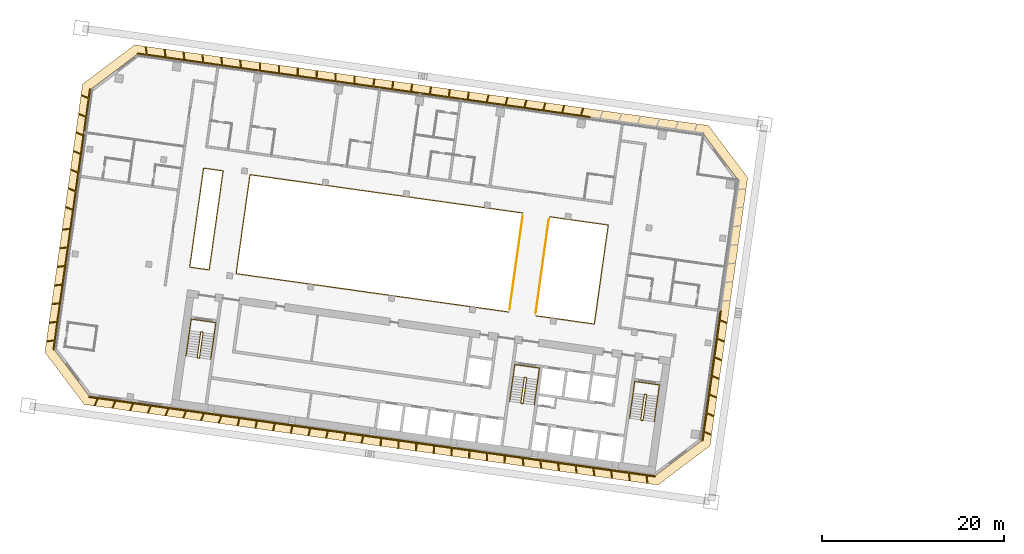
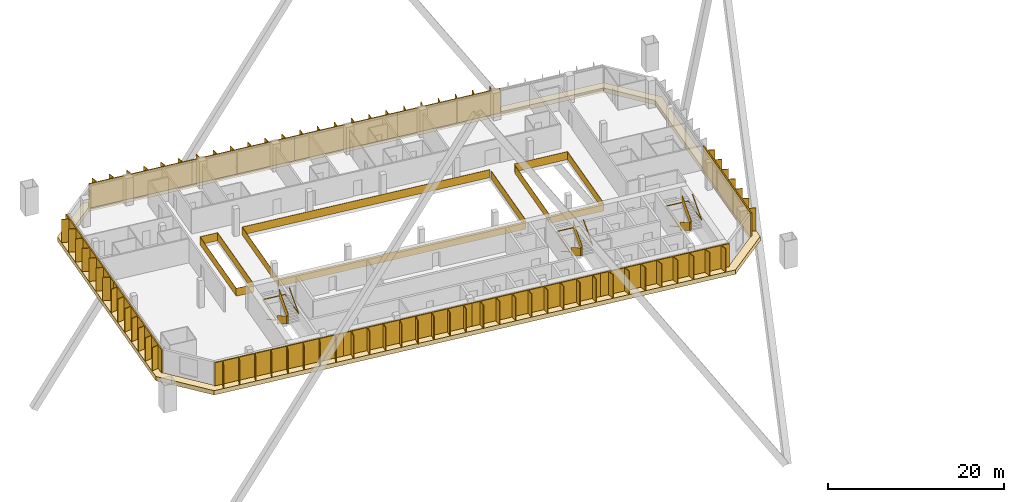
# One storey, part 39 of 41: 11 railings, 11 shading devices, 1 covering.
"""IFC4 building model written with IfcOpenShell, lengths in metres."""

from ifc_helpers import new_model, si_unit, direction, frame, origin, origin_2d, place, context, subcontext, project, spatial, polyline, rectangle, outline, extrude, material, layer, layer_set, type_object, element, save


model = new_model("IFC4")

# Units and contexts
model_context = context("Model", 3, precision=1e-05, world=origin(), true_north=direction((0.0, 1.0)))
body_context = subcontext(model_context, "Body", "Model", "MODEL_VIEW")
ifc_project = project(units=[si_unit("LENGTHUNIT", "METRE"), si_unit("AREAUNIT", "SQUARE_METRE"), si_unit("VOLUMEUNIT", "CUBIC_METRE"), si_unit("PLANEANGLEUNIT", "RADIAN"), si_unit("MASSUNIT", "GRAM", prefix="KILO")], contexts=[model_context])

# Site, building, storey
site_placement = place(None, origin())
site = spatial("IfcSite", under=ifc_project, at=site_placement, CompositionType="ELEMENT")
building_placement = place(site_placement, origin())
building = spatial("IfcBuilding", under=site, at=building_placement, Name="Mirante Cascada Hotel Towers", CompositionType="ELEMENT")
storey_placement = place(building_placement, frame((0.0, 0.0, 125.3)))
storey = spatial("IfcBuildingStorey", under=building, at=storey_placement, Name="L28", CompositionType="ELEMENT", Elevation=125.3)

# Railings
ifc_material_1 = material(Name="Toughened glass with stainless steel handrail", Category="steel")
railing_type_1 = type_object("IfcRailingType", Name="Atrium guard 1100 glass balustrade", PredefinedType="GUARDRAIL", material=ifc_material_1)
railing_1_placement = place(storey_placement, frame((-48.76, 8.3112, 0.0)))
element("IfcRailing", 1, at=railing_1_placement, inside=storey, type_object=railing_type_1, Name="GUARD 1-L28-1", PredefinedType="GUARDRAIL", context=body_context, shape_type="SweptSolid", body=[
    extrude(rectangle(XDim=0.048, YDim=0.048, at=origin_2d()), frame((0.0, 0.0, 1.076), z_axis=(0.9902694, -0.1391638, 0.0), x_axis=(0.1391638, 0.9902694, 0.0)), (0.0, 0.0, 1.0), 6.5125),
    extrude(rectangle(XDim=0.02, YDim=1.052, at=origin_2d()), frame((0.0, 0.0, 0.526), z_axis=(0.9902694, -0.1391638, 0.0), x_axis=(0.1391638, 0.9902694, 0.0)), (0.0, 0.0, 1.0), 6.5125),
    extrude(rectangle(XDim=0.048, YDim=0.048, at=origin_2d()), frame((6.4491, -0.9063, 1.076), z_axis=(-0.1391721, -0.9902682, 0.0), x_axis=(0.9902682, -0.1391721, 0.0)), (0.0, 0.0, 1.0), 11.0001),
    extrude(rectangle(XDim=0.02, YDim=1.052, at=origin_2d()), frame((6.4491, -0.9063, 0.526), z_axis=(-0.1391721, -0.9902682, 0.0), x_axis=(0.9902682, -0.1391721, 0.0)), (0.0, 0.0, 1.0), 11.0001),
    extrude(rectangle(XDim=0.048, YDim=0.048, at=origin_2d()), frame((4.9182, -11.7993, 1.076), z_axis=(-0.9902673, 0.1391788, 0.0), x_axis=(-0.1391788, -0.9902673, 0.0)), (0.0, 0.0, 1.0), 6.5125),
    extrude(rectangle(XDim=0.02, YDim=1.052, at=origin_2d()), frame((4.9182, -11.7993, 0.526), z_axis=(-0.9902673, 0.1391788, 0.0), x_axis=(-0.1391788, -0.9902673, 0.0)), (0.0, 0.0, 1.0), 6.5125),
])
railing_2_placement = place(storey_placement, frame((-53.2617, -2.1642, 0.0)))
element("IfcRailing", 2, at=railing_2_placement, inside=storey, type_object=railing_type_1, Name="GUARD 1-L28-2", PredefinedType="GUARDRAIL", context=body_context, shape_type="SweptSolid", body=[
    extrude(rectangle(XDim=0.048, YDim=0.048, at=origin_2d()), frame((0.0, 0.0, 1.076), z_axis=(-0.9902682, 0.1391722, 0.0), x_axis=(-0.1391722, -0.9902682, 0.0)), (0.0, 0.0, 1.0), 30.325),
    extrude(rectangle(XDim=0.02, YDim=1.052, at=origin_2d()), frame((0.0, 0.0, 0.526), z_axis=(-0.9902682, 0.1391722, 0.0), x_axis=(-0.1391722, -0.9902682, 0.0)), (0.0, 0.0, 1.0), 30.325),
    extrude(rectangle(XDim=0.048, YDim=0.048, at=origin_2d()), frame((-30.0299, 4.2204, 1.076), z_axis=(0.1391721, 0.9902682, 0.0), x_axis=(-0.9902682, 0.1391721, 0.0)), (0.0, 0.0, 1.0), 11.0001),
    extrude(rectangle(XDim=0.02, YDim=1.052, at=origin_2d()), frame((-30.0299, 4.2204, 0.526), z_axis=(0.1391721, 0.9902682, 0.0), x_axis=(-0.9902682, 0.1391721, 0.0)), (0.0, 0.0, 1.0), 11.0001),
    extrude(rectangle(XDim=0.048, YDim=0.048, at=origin_2d()), frame((-28.499, 15.1134, 1.076), z_axis=(0.9902682, -0.1391722, 0.0), x_axis=(0.1391722, 0.9902682, 0.0)), (0.0, 0.0, 1.0), 30.325),
    extrude(rectangle(XDim=0.02, YDim=1.052, at=origin_2d()), frame((-28.499, 15.1134, 0.526), z_axis=(0.9902682, -0.1391722, 0.0), x_axis=(0.1391722, 0.9902682, 0.0)), (0.0, 0.0, 1.0), 30.325),
])
railing_3_placement = place(storey_placement, frame((-86.2624, 2.4738, 0.0)))
element("IfcRailing", 3, at=railing_3_placement, inside=storey, type_object=railing_type_1, Name="GUARD 1-L28-3", PredefinedType="GUARDRAIL", context=body_context, shape_type="SweptSolid", body=[
    extrude(rectangle(XDim=0.048, YDim=0.048, at=origin_2d()), frame((0.0, 0.0, 1.076), z_axis=(-0.9902724, 0.1391422, 0.0), x_axis=(-0.1391422, -0.9902724, 0.0)), (0.0, 0.0, 1.0), 2.1625),
    extrude(rectangle(XDim=0.02, YDim=1.052, at=origin_2d()), frame((0.0, 0.0, 0.526), z_axis=(-0.9902724, 0.1391422, 0.0), x_axis=(-0.1391422, -0.9902724, 0.0)), (0.0, 0.0, 1.0), 2.1625),
    extrude(rectangle(XDim=0.048, YDim=0.048, at=origin_2d()), frame((-2.1415, 0.3009, 1.076), z_axis=(0.1391721, 0.9902682, 0.0), x_axis=(-0.9902682, 0.1391721, 0.0)), (0.0, 0.0, 1.0), 11.0001),
    extrude(rectangle(XDim=0.02, YDim=1.052, at=origin_2d()), frame((-2.1415, 0.3009, 0.526), z_axis=(0.1391721, 0.9902682, 0.0), x_axis=(-0.9902682, 0.1391721, 0.0)), (0.0, 0.0, 1.0), 11.0001),
    extrude(rectangle(XDim=0.048, YDim=0.048, at=origin_2d()), frame((-0.6106, 11.1939, 1.076), z_axis=(0.990266, -0.1391875, 0.0), x_axis=(0.1391875, 0.990266, 0.0)), (0.0, 0.0, 1.0), 2.1626),
    extrude(rectangle(XDim=0.02, YDim=1.052, at=origin_2d()), frame((-0.6106, 11.1939, 0.526), z_axis=(0.990266, -0.1391875, 0.0), x_axis=(0.1391875, 0.990266, 0.0)), (0.0, 0.0, 1.0), 2.1626),
    extrude(rectangle(XDim=0.048, YDim=0.048, at=origin_2d()), frame((1.5309, 10.8929, 1.076), z_axis=(-0.1391733, -0.990268, 0.0), x_axis=(0.990268, -0.1391733, 0.0)), (0.0, 0.0, 1.0), 11.0),
    extrude(rectangle(XDim=0.02, YDim=1.052, at=origin_2d()), frame((1.5309, 10.8929, 0.526), z_axis=(-0.1391733, -0.990268, 0.0), x_axis=(0.990268, -0.1391733, 0.0)), (0.0, 0.0, 1.0), 11.0),
])
railing_4_placement = place(storey_placement, frame((-53.172, -1.8782, 0.0)))
element("IfcRailing", 4, at=railing_4_placement, inside=storey, type_object=railing_type_1, Name="GUARD 1-L28-4", PredefinedType="GUARDRAIL", context=body_context, shape_type="SweptSolid", body=[
    extrude(rectangle(XDim=0.048, YDim=0.048, at=origin_2d()), frame((0.0, 0.0, 1.076), z_axis=(0.1391721, 0.9902682, 0.0), x_axis=(-0.9902682, 0.1391721, 0.0)), (0.0, 0.0, 1.0), 10.4087),
    extrude(rectangle(XDim=0.02, YDim=1.052, at=origin_2d()), frame((0.0, 0.0, 0.526), z_axis=(0.1391721, 0.9902682, 0.0), x_axis=(-0.9902682, 0.1391721, 0.0)), (0.0, 0.0, 1.0), 10.4087),
])
railing_5_placement = place(storey_placement, frame((-48.8497, 8.0253, 0.0)))
element("IfcRailing", 5, at=railing_5_placement, inside=storey, type_object=railing_type_1, Name="GUARD 1-L28-5", PredefinedType="GUARDRAIL", context=body_context, shape_type="SweptSolid", body=[
    extrude(rectangle(XDim=0.048, YDim=0.048, at=origin_2d()), frame((0.0, 0.0, 1.076), z_axis=(-0.1391708, -0.9902684, 0.0), x_axis=(0.9902684, -0.1391708, 0.0)), (0.0, 0.0, 1.0), 10.4088),
    extrude(rectangle(XDim=0.02, YDim=1.052, at=origin_2d()), frame((0.0, 0.0, 0.526), z_axis=(-0.1391708, -0.9902684, 0.0), x_axis=(0.9902684, -0.1391708, 0.0)), (0.0, 0.0, 1.0), 10.4088),
])

# Covering
ifc_material_2 = material(Name="Precast concrete C40/50 white", Category="concrete")
ifc_layer = layer(ifc_material_2, 0.6)
ifc_layer_set = layer_set([ifc_layer], Name="Precast concrete SUNSHADE band 1000x600")
covering_type = type_object("IfcCoveringType", Name="Precast concrete SUNSHADE band 1000x600", PredefinedType="CLADDING", material=ifc_layer_set)
covering_placement = place(storey_placement, frame((0.0, 0.0, -0.45)))
element("IfcCovering", 6, at=covering_placement, inside=storey, type_object=covering_type, Name="Precast concrete SUNSHADE band T1 L28", PredefinedType="CLADDING", context=body_context, shape_type="SweptSolid", body=[
    extrude(outline(polyline([(-104.3652, -6.6094), (-100.2139, 22.9287), (-94.4698, 27.2572), (-31.2626, 18.374), (-26.9341, 12.6299), (-31.0854, -16.9082), (-36.8295, -21.2367), (-100.0367, -12.3535), (-104.3652, -6.6094)]), holes=[polyline([(-27.982, 12.3589), (-31.8119, 17.4414), (-94.1988, 26.2093), (-99.2813, 22.3794), (-103.3173, -6.3384), (-99.4874, -11.4209), (-37.1005, -20.1888), (-32.018, -16.3589), (-27.982, 12.3589)])]), origin(), (0.0, 0.0, 1.0), 0.6),
])

# Railings
ifc_material_3 = material(Name="Painted steel", Category="steel")
railing_type_2 = type_object("IfcRailingType", Name="Stair guard 1100 steel balustrade", PredefinedType="GUARDRAIL", material=ifc_material_3)
railing_6_placement = place(storey_placement, frame((-38.1178, -11.2603, 0.0)))
element("IfcRailing", 7, at=railing_6_placement, inside=storey, type_object=railing_type_2, Name="L28 ST1-A stair guard 1", PredefinedType="GUARDRAIL", context=body_context, shape_type="SweptSolid", body=[
    extrude(rectangle(XDim=0.048, YDim=0.048, at=origin_2d()), frame((0.0, 0.0, 1.076), z_axis=(-0.9903326, 0.1387133, 0.0), x_axis=(-0.1387133, -0.9903326, 0.0)), (0.0, 0.0, 1.0), 0.1499),
    extrude(rectangle(XDim=0.02, YDim=1.052, at=origin_2d()), frame((0.0, 0.0, 0.526), z_axis=(-0.9903326, 0.1387133, 0.0), x_axis=(-0.1387133, -0.9903326, 0.0)), (0.0, 0.0, 1.0), 0.1499),
    extrude(rectangle(XDim=0.048, YDim=0.048, at=origin_2d()), frame((-0.1485, 0.0208, 1.076), z_axis=(-0.7991505, -0.6011309, 0.0), x_axis=(0.6011309, -0.7991505, 0.0)), (0.0, 0.9254529, 0.3788627), 0.1866),
    extrude(rectangle(XDim=0.02, YDim=1.052, at=origin_2d()), frame((-0.1485, 0.0208, 0.526), z_axis=(-0.7991505, -0.6011309, 0.0), x_axis=(0.6011309, -0.7991505, 0.0)), (0.0, 0.9254529, 0.3788627), 0.1866),
    extrude(rectangle(XDim=0.048, YDim=0.048, at=origin_2d()), frame((-0.205, -0.0217, 1.2487), z_axis=(-0.139176, -0.9902677, 0.0), x_axis=(0.9902677, -0.139176, 0.0)), (0.0, 0.5250212, 0.8510891), 3.29),
    extrude(rectangle(XDim=0.02, YDim=1.052, at=origin_2d()), frame((-0.205, -0.0217, 0.6987), z_axis=(-0.139176, -0.9902677, 0.0), x_axis=(0.9902677, -0.139176, 0.0)), (0.0, 0.5250212, 0.8510891), 3.29),
    extrude(rectangle(XDim=0.048, YDim=0.048, at=origin_2d()), frame((-0.5947, -2.7945, 2.976), z_axis=(0.9270311, -0.3749843, 0.0), x_axis=(0.3749843, 0.9270311, 0.0)), (0.0, 0.0, 1.0), 0.2061),
    extrude(rectangle(XDim=0.02, YDim=1.052, at=origin_2d()), frame((-0.5947, -2.7945, 2.426), z_axis=(0.9270311, -0.3749843, 0.0), x_axis=(0.3749843, 0.9270311, 0.0)), (0.0, 0.0, 1.0), 0.2061),
    extrude(rectangle(XDim=0.048, YDim=0.048, at=origin_2d()), frame((-0.4036, -2.8718, 2.976), z_axis=(-0.9902408, 0.1393672, 0.0), x_axis=(-0.1393672, -0.9902408, 0.0)), (0.0, 0.0, 1.0), 0.15),
    extrude(rectangle(XDim=0.02, YDim=1.052, at=origin_2d()), frame((-0.4036, -2.8718, 2.426), z_axis=(-0.9902408, 0.1393672, 0.0), x_axis=(-0.1393672, -0.9902408, 0.0)), (0.0, 0.0, 1.0), 0.15),
    extrude(rectangle(XDim=0.048, YDim=0.048, at=origin_2d()), frame((-0.5521, -2.8509, 2.976), z_axis=(0.9944948, 0.1047858, 0.0), x_axis=(-0.1047858, 0.9944948, 0.0)), (0.0, 0.6422034, 0.7665343), 0.2689),
    extrude(rectangle(XDim=0.02, YDim=1.052, at=origin_2d()), frame((-0.5521, -2.8509, 2.426), z_axis=(0.9944948, 0.1047858, 0.0), x_axis=(-0.1047858, 0.9944948, 0.0)), (0.0, 0.6422034, 0.7665343), 0.2689),
    extrude(rectangle(XDim=0.048, YDim=0.048, at=origin_2d()), frame((-0.3471, -2.8293, 3.1487), z_axis=(0.139176, 0.9902677, 0.0), x_axis=(-0.9902677, 0.139176, 0.0)), (0.0, 0.5250212, 0.8510891), 3.29),
    extrude(rectangle(XDim=0.02, YDim=1.052, at=origin_2d()), frame((-0.3471, -2.8293, 2.5987), z_axis=(0.139176, 0.9902677, 0.0), x_axis=(-0.9902677, 0.139176, 0.0)), (0.0, 0.5250212, 0.8510891), 3.29),
])
railing_7_placement = place(storey_placement, frame((-51.3379, -9.4024, 0.0)))
element("IfcRailing", 8, at=railing_7_placement, inside=storey, type_object=railing_type_2, Name="L28 ST1-B stair guard 1", PredefinedType="GUARDRAIL", context=body_context, shape_type="SweptSolid", body=[
    extrude(rectangle(XDim=0.048, YDim=0.048, at=origin_2d()), frame((0.0, 0.0, 1.076), z_axis=(-0.9902408, 0.1393672, 0.0), x_axis=(-0.1393672, -0.9902408, 0.0)), (0.0, 0.0, 1.0), 0.15),
    extrude(rectangle(XDim=0.02, YDim=1.052, at=origin_2d()), frame((0.0, 0.0, 0.526), z_axis=(-0.9902408, 0.1393672, 0.0), x_axis=(-0.1393672, -0.9902408, 0.0)), (0.0, 0.0, 1.0), 0.15),
    extrude(rectangle(XDim=0.048, YDim=0.048, at=origin_2d()), frame((-0.1485, 0.0209, 1.076), z_axis=(-0.7984711, -0.6020331, 0.0), x_axis=(0.6020331, -0.7984711, 0.0)), (0.0, 0.9253398, 0.3791387), 0.1866),
    extrude(rectangle(XDim=0.02, YDim=1.052, at=origin_2d()), frame((-0.1485, 0.0209, 0.526), z_axis=(-0.7984711, -0.6020331, 0.0), x_axis=(0.6020331, -0.7984711, 0.0)), (0.0, 0.9253398, 0.3791387), 0.1866),
    extrude(rectangle(XDim=0.048, YDim=0.048, at=origin_2d()), frame((-0.205, -0.0217, 1.2487), z_axis=(-0.139181, -0.990267, 0.0), x_axis=(0.990267, -0.139181, 0.0)), (0.0, 0.5250347, 0.8510808), 3.2899),
    extrude(rectangle(XDim=0.02, YDim=1.052, at=origin_2d()), frame((-0.205, -0.0217, 0.6987), z_axis=(-0.139181, -0.990267, 0.0), x_axis=(0.990267, -0.139181, 0.0)), (0.0, 0.5250347, 0.8510808), 3.2899),
    extrude(rectangle(XDim=0.048, YDim=0.048, at=origin_2d()), frame((-0.5947, -2.7944, 2.976), z_axis=(0.9268624, -0.3754011, 0.0), x_axis=(0.3754011, 0.9268624, 0.0)), (0.0, 0.0, 1.0), 0.2062),
    extrude(rectangle(XDim=0.02, YDim=1.052, at=origin_2d()), frame((-0.5947, -2.7944, 2.426), z_axis=(0.9268624, -0.3754011, 0.0), x_axis=(0.3754011, 0.9268624, 0.0)), (0.0, 0.0, 1.0), 0.2062),
    extrude(rectangle(XDim=0.048, YDim=0.048, at=origin_2d()), frame((-0.4036, -2.8718, 2.976), z_axis=(-0.9902408, 0.1393672, 0.0), x_axis=(-0.1393672, -0.9902408, 0.0)), (0.0, 0.0, 1.0), 0.15),
    extrude(rectangle(XDim=0.02, YDim=1.052, at=origin_2d()), frame((-0.4036, -2.8718, 2.426), z_axis=(-0.9902408, 0.1393672, 0.0), x_axis=(-0.1393672, -0.9902408, 0.0)), (0.0, 0.0, 1.0), 0.15),
    extrude(rectangle(XDim=0.048, YDim=0.048, at=origin_2d()), frame((-0.5521, -2.8509, 2.976), z_axis=(0.9944441, 0.1052656, 0.0), x_axis=(-0.1052656, 0.9944441, 0.0)), (0.0, 0.6421842, 0.7665504), 0.2689),
    extrude(rectangle(XDim=0.02, YDim=1.052, at=origin_2d()), frame((-0.5521, -2.8509, 2.426), z_axis=(0.9944441, 0.1052656, 0.0), x_axis=(-0.1052656, 0.9944441, 0.0)), (0.0, 0.6421842, 0.7665504), 0.2689),
    extrude(rectangle(XDim=0.048, YDim=0.048, at=origin_2d()), frame((-0.3471, -2.8292, 3.1487), z_axis=(0.139181, 0.990267, 0.0), x_axis=(-0.990267, 0.139181, 0.0)), (0.0, 0.5250347, 0.8510808), 3.2899),
    extrude(rectangle(XDim=0.02, YDim=1.052, at=origin_2d()), frame((-0.3471, -2.8292, 2.5987), z_axis=(0.139181, 0.990267, 0.0), x_axis=(-0.990267, 0.139181, 0.0)), (0.0, 0.5250347, 0.8510808), 3.2899),
])
railing_8_placement = place(storey_placement, frame((-86.9875, -4.3922, 0.0)))
element("IfcRailing", 9, at=railing_8_placement, inside=storey, type_object=railing_type_2, Name="L28 ST1-C stair guard 1", PredefinedType="GUARDRAIL", context=body_context, shape_type="SweptSolid", body=[
    extrude(rectangle(XDim=0.048, YDim=0.048, at=origin_2d()), frame((0.0, 0.0, 1.076), z_axis=(-0.9902537, 0.1392753, 0.0), x_axis=(-0.1392753, -0.9902537, 0.0)), (0.0, 0.0, 1.0), 0.1501),
    extrude(rectangle(XDim=0.02, YDim=1.052, at=origin_2d()), frame((0.0, 0.0, 0.526), z_axis=(-0.9902537, 0.1392753, 0.0), x_axis=(-0.1392753, -0.9902537, 0.0)), (0.0, 0.0, 1.0), 0.1501),
    extrude(rectangle(XDim=0.048, YDim=0.048, at=origin_2d()), frame((-0.1486, 0.0209, 1.076), z_axis=(-0.7986386, -0.601811, 0.0), x_axis=(0.601811, -0.7986386, 0.0)), (0.0, 0.925603, 0.3784959), 0.1866),
    extrude(rectangle(XDim=0.02, YDim=1.052, at=origin_2d()), frame((-0.1486, 0.0209, 0.526), z_axis=(-0.7986386, -0.601811, 0.0), x_axis=(0.601811, -0.7986386, 0.0)), (0.0, 0.925603, 0.3784959), 0.1866),
    extrude(rectangle(XDim=0.048, YDim=0.048, at=origin_2d()), frame((-0.205, -0.0216, 1.2487), z_axis=(-0.139176, -0.9902677, 0.0), x_axis=(0.9902677, -0.139176, 0.0)), (0.0, 0.5250212, 0.8510891), 3.29),
    extrude(rectangle(XDim=0.02, YDim=1.052, at=origin_2d()), frame((-0.205, -0.0216, 0.6987), z_axis=(-0.139176, -0.9902677, 0.0), x_axis=(0.9902677, -0.139176, 0.0)), (0.0, 0.5250212, 0.8510891), 3.29),
    extrude(rectangle(XDim=0.048, YDim=0.048, at=origin_2d()), frame((-0.5947, -2.7944, 2.976), z_axis=(0.9270311, -0.3749843, 0.0), x_axis=(0.3749843, 0.9270311, 0.0)), (0.0, 0.0, 1.0), 0.2061),
    extrude(rectangle(XDim=0.02, YDim=1.052, at=origin_2d()), frame((-0.5947, -2.7944, 2.426), z_axis=(0.9270311, -0.3749843, 0.0), x_axis=(0.3749843, 0.9270311, 0.0)), (0.0, 0.0, 1.0), 0.2061),
    extrude(rectangle(XDim=0.048, YDim=0.048, at=origin_2d()), frame((-0.4036, -2.8717, 2.976), z_axis=(-0.9903454, 0.1386217, 0.0), x_axis=(-0.1386217, -0.9903454, 0.0)), (0.0, 0.0, 1.0), 0.15),
    extrude(rectangle(XDim=0.02, YDim=1.052, at=origin_2d()), frame((-0.4036, -2.8717, 2.426), z_axis=(-0.9903454, 0.1386217, 0.0), x_axis=(-0.1386217, -0.9903454, 0.0)), (0.0, 0.0, 1.0), 0.15),
    extrude(rectangle(XDim=0.048, YDim=0.048, at=origin_2d()), frame((-0.5522, -2.8509, 2.976), z_axis=(0.9944441, 0.1052656, 0.0), x_axis=(-0.1052656, 0.9944441, 0.0)), (0.0, 0.6421842, 0.7665504), 0.2689),
    extrude(rectangle(XDim=0.02, YDim=1.052, at=origin_2d()), frame((-0.5522, -2.8509, 2.426), z_axis=(0.9944441, 0.1052656, 0.0), x_axis=(-0.1052656, 0.9944441, 0.0)), (0.0, 0.6421842, 0.7665504), 0.2689),
    extrude(rectangle(XDim=0.048, YDim=0.048, at=origin_2d()), frame((-0.3472, -2.8292, 3.1487), z_axis=(0.139176, 0.9902677, 0.0), x_axis=(-0.9902677, 0.139176, 0.0)), (0.0, 0.5250212, 0.8510891), 3.29),
    extrude(rectangle(XDim=0.02, YDim=1.052, at=origin_2d()), frame((-0.3472, -2.8292, 2.5987), z_axis=(0.139176, 0.9902677, 0.0), x_axis=(-0.9902677, 0.139176, 0.0)), (0.0, 0.5250212, 0.8510891), 3.29),
])
ifc_material_4 = material(Name="Painted steel", Category="steel")
railing_type_3 = type_object("IfcRailingType", Name="Stair handrail 900 steel tube", PredefinedType="HANDRAIL", material=ifc_material_4)
railing_9_placement = place(storey_placement, frame((-39.5606, -11.1081, 0.1727)))
element("IfcRailing", 10, at=railing_9_placement, inside=storey, type_object=railing_type_3, Name="L28 ST1-A stair handrail 1", PredefinedType="HANDRAIL", context=body_context, shape_type="SweptSolid", body=[
    extrude(rectangle(XDim=0.048, YDim=0.048, at=origin_2d()), frame((0.0, 0.0, 0.876), z_axis=(-0.139181, -0.990267, 0.0), x_axis=(0.990267, -0.139181, 0.0)), (0.0, 0.5250347, 0.8510808), 3.2899),
    extrude(rectangle(XDim=0.048, YDim=0.048, at=origin_2d()), frame((-0.3897, -2.7727, 2.6033), z_axis=(0.1391707, 0.9902684, 0.0), x_axis=(-0.9902684, 0.1391707, 0.0)), (0.0, 0.0420846, 0.999114), 4.1036),
    extrude(rectangle(XDim=0.048, YDim=0.048, at=origin_2d()), frame((0.1809, 1.2874, 2.776), z_axis=(0.9902691, -0.1391657, 0.0), x_axis=(0.1391657, 0.9902691, 0.0)), (0.0, 0.0, 1.0), 2.75),
    extrude(rectangle(XDim=0.048, YDim=0.048, at=origin_2d()), frame((2.9041, 0.9047, 2.776), z_axis=(-0.1391707, -0.9902684, 0.0), x_axis=(0.9902684, -0.1391707, 0.0)), (0.0, 0.0, 1.0), 4.1),
    extrude(rectangle(XDim=0.048, YDim=0.048, at=origin_2d()), frame((2.3335, -3.1554, 2.776), z_axis=(0.139181, 0.990267, 0.0), x_axis=(-0.990267, 0.139181, 0.0)), (0.0, 0.5250347, 0.8510808), 3.2899),
])
railing_10_placement = place(storey_placement, frame((-52.7807, -9.2501, 0.1727)))
element("IfcRailing", 11, at=railing_10_placement, inside=storey, type_object=railing_type_3, Name="L28 ST1-B stair handrail 1", PredefinedType="HANDRAIL", context=body_context, shape_type="SweptSolid", body=[
    extrude(rectangle(XDim=0.048, YDim=0.048, at=origin_2d()), frame((0.0, 0.0, 0.876), z_axis=(-0.139181, -0.990267, 0.0), x_axis=(0.990267, -0.139181, 0.0)), (0.0, 0.5250347, 0.8510808), 3.2899),
    extrude(rectangle(XDim=0.048, YDim=0.048, at=origin_2d()), frame((-0.3897, -2.7727, 2.6033), z_axis=(0.1391707, 0.9902684, 0.0), x_axis=(-0.9902684, 0.1391707, 0.0)), (0.0, 0.0420846, 0.999114), 4.1036),
    extrude(rectangle(XDim=0.048, YDim=0.048, at=origin_2d()), frame((0.1809, 1.2874, 2.776), z_axis=(0.9902641, -0.1392013, 0.0), x_axis=(0.1392013, 0.9902641, 0.0)), (0.0, 0.0, 1.0), 2.75),
    extrude(rectangle(XDim=0.048, YDim=0.048, at=origin_2d()), frame((2.9041, 0.9046, 2.776), z_axis=(-0.1391707, -0.9902684, 0.0), x_axis=(0.9902684, -0.1391707, 0.0)), (0.0, 0.0, 1.0), 4.1),
    extrude(rectangle(XDim=0.048, YDim=0.048, at=origin_2d()), frame((2.3335, -3.1555, 2.776), z_axis=(0.139176, 0.9902677, 0.0), x_axis=(-0.9902677, 0.139176, 0.0)), (0.0, 0.5250212, 0.8510891), 3.29),
])
railing_11_placement = place(storey_placement, frame((-88.4304, -4.2399, 0.1727)))
element("IfcRailing", 12, at=railing_11_placement, inside=storey, type_object=railing_type_3, Name="L28 ST1-C stair handrail 1", PredefinedType="HANDRAIL", context=body_context, shape_type="SweptSolid", body=[
    extrude(rectangle(XDim=0.048, YDim=0.048, at=origin_2d()), frame((0.0, 0.0, 0.876), z_axis=(-0.139181, -0.990267, 0.0), x_axis=(0.990267, -0.139181, 0.0)), (0.0, 0.5250347, 0.8510808), 3.2899),
    extrude(rectangle(XDim=0.048, YDim=0.048, at=origin_2d()), frame((-0.3897, -2.7727, 2.6033), z_axis=(0.1391947, 0.990265, 0.0), x_axis=(-0.990265, 0.1391947, 0.0)), (0.0, 0.0420845, 0.9991141), 4.1036),
    extrude(rectangle(XDim=0.048, YDim=0.048, at=origin_2d()), frame((0.181, 1.2874, 2.776), z_axis=(0.9902691, -0.1391657, 0.0), x_axis=(0.1391657, 0.9902691, 0.0)), (0.0, 0.0, 1.0), 2.75),
    extrude(rectangle(XDim=0.048, YDim=0.048, at=origin_2d()), frame((2.9042, 0.9047, 2.776), z_axis=(-0.1391707, -0.9902684, 0.0), x_axis=(0.9902684, -0.1391707, 0.0)), (0.0, 0.0, 1.0), 4.1),
    extrude(rectangle(XDim=0.048, YDim=0.048, at=origin_2d()), frame((2.3336, -3.1554, 2.776), z_axis=(0.139181, 0.990267, 0.0), x_axis=(-0.990267, 0.139181, 0.0)), (0.0, 0.5250347, 0.8510808), 3.2899),
])

# Shading devices
ifc_material_5 = material(Name="White precast concrete C50/60 fin", Category="concrete")
shading_device_type = type_object("IfcShadingDeviceType", Name="Vertical fin set 4500x900", PredefinedType="USERDEFINED", material=ifc_material_5)
shading_device_1_placement = place(storey_placement, origin())
element("IfcShadingDevice", 13, at=shading_device_1_placement, inside=storey, type_object=shading_device_type, Name="FIN T1 L28 front 1", ObjectType="FIN", PredefinedType="USERDEFINED", context=body_context, shape_type="SweptSolid", body=[
    extrude(outline(polyline([(-82.8173, 25.599), (-82.7126, 24.7465), (-81.7006, 24.6042), (-81.7214, 24.4557), (-94.1988, 26.2093), (-94.1779, 26.3578), (-93.1924, 26.2193), (-93.2945, 27.0506), (-93.2151, 27.0603), (-93.1104, 26.2078), (-91.1129, 25.9271), (-91.2149, 26.7583), (-91.1355, 26.7681), (-91.0308, 25.9155), (-89.0333, 25.6348), (-89.1354, 26.4661), (-89.056, 26.4758), (-88.9513, 25.6233), (-86.9537, 25.3425), (-87.0558, 26.1738), (-86.9764, 26.1835), (-86.8717, 25.331), (-84.8742, 25.0503), (-84.9762, 25.8815), (-84.8968, 25.8913), (-84.7922, 25.0387), (-82.7946, 24.758), (-82.8967, 25.5893), (-82.8173, 25.599)])), origin(), (0.0, 0.0, 1.0), 3.35),
])
shading_device_2_placement = place(storey_placement, origin())
element("IfcShadingDevice", 14, at=shading_device_2_placement, inside=storey, type_object=shading_device_type, Name="FIN T1 L28 front 2", ObjectType="FIN", PredefinedType="USERDEFINED", context=body_context, shape_type="SweptSolid", body=[
    extrude(outline(polyline([(-70.2221, 23.8469), (-70.2295, 22.9921), (-69.2232, 22.8507), (-69.2441, 22.7021), (-81.7214, 24.4557), (-81.7006, 24.6042), (-80.7072, 24.4646), (-80.6999, 25.3089), (-80.6199, 25.3082), (-80.6273, 24.4534), (-78.6277, 24.1724), (-78.6203, 25.0166), (-78.5403, 25.0159), (-78.5478, 24.1611), (-76.5481, 23.8801), (-76.5407, 24.7244), (-76.4608, 24.7237), (-76.4682, 23.8689), (-74.4686, 23.5878), (-74.4612, 24.4321), (-74.3812, 24.4314), (-74.3886, 23.5766), (-72.389, 23.2956), (-72.3816, 24.1399), (-72.3016, 24.1392), (-72.3091, 23.2844), (-70.3094, 23.0033), (-70.3021, 23.8476), (-70.2221, 23.8469)])), origin(), (0.0, 0.0, 1.0), 3.35),
])
shading_device_3_placement = place(storey_placement, origin())
element("IfcShadingDevice", 15, at=shading_device_3_placement, inside=storey, type_object=shading_device_type, Name="FIN T1 L28 front 3", ObjectType="FIN", PredefinedType="USERDEFINED", context=body_context, shape_type="SweptSolid", body=[
    extrude(outline(polyline([(-57.6277, 22.0794), (-57.746, 21.2376), (-56.7458, 21.0971), (-56.7667, 20.9485), (-69.2441, 22.7021), (-69.2232, 22.8507), (-68.223, 22.7101), (-68.1047, 23.5518), (-68.0255, 23.5407), (-68.1438, 22.699), (-66.1434, 22.4178), (-66.0251, 23.2596), (-65.9459, 23.2484), (-66.0642, 22.4067), (-64.0639, 22.1256), (-63.9456, 22.9673), (-63.8664, 22.9562), (-63.9847, 22.1144), (-61.9843, 21.8333), (-61.866, 22.675), (-61.7868, 22.6639), (-61.9051, 21.8222), (-59.9048, 21.541), (-59.7865, 22.3828), (-59.7072, 22.3716), (-59.8255, 21.5299), (-57.8252, 21.2488), (-57.7069, 22.0905), (-57.6277, 22.0794)])), origin(), (0.0, 0.0, 1.0), 3.35),
])
shading_device_4_placement = place(storey_placement, origin())
element("IfcShadingDevice", 16, at=shading_device_4_placement, inside=storey, type_object=shading_device_type, Name="FIN T1 L28 front 4", ObjectType="FIN", PredefinedType="USERDEFINED", context=body_context, shape_type="SweptSolid", body=[
    extrude(outline(polyline([(-45.0361, 20.2967), (-45.2617, 19.4831), (-44.2684, 19.3435), (-44.2893, 19.195), (-56.7667, 20.9485), (-56.7458, 21.0971), (-55.7394, 20.9556), (-55.511, 21.7794), (-55.4339, 21.758), (-55.6595, 20.9444), (-53.6599, 20.6634), (-53.4314, 21.4871), (-53.3544, 21.4657), (-53.58, 20.6521), (-51.5803, 20.3711), (-51.3519, 21.1949), (-51.2748, 21.1735), (-51.5004, 20.3599), (-49.5008, 20.0789), (-49.2723, 20.9026), (-49.1952, 20.8812), (-49.4209, 20.0676), (-47.4212, 19.7866), (-47.1928, 20.6103), (-47.1157, 20.589), (-47.3413, 19.7754), (-45.3416, 19.4943), (-45.1132, 20.3181), (-45.0361, 20.2967)])), origin(), (0.0, 0.0, 1.0), 3.35),
])
shading_device_5_placement = place(storey_placement, origin())
element("IfcShadingDevice", 17, at=shading_device_5_placement, inside=storey, type_object=shading_device_type, Name="FIN T1 L28 inner 2", ObjectType="FIN", PredefinedType="USERDEFINED", context=body_context, shape_type="SweptSolid", body=[
    extrude(outline(polyline([(-31.733, -15.4084), (-31.8695, -16.3798), (-32.018, -16.3589), (-30.0, -2.0), (-29.8515, -2.0209), (-29.9917, -3.0188), (-29.201, -3.3544), (-29.2323, -3.428), (-30.0032, -3.1008), (-30.28, -5.07), (-29.4893, -5.4057), (-29.5206, -5.4793), (-30.2915, -5.1521), (-30.5683, -7.1213), (-29.7776, -7.4569), (-29.8089, -7.5306), (-30.5798, -7.2033), (-30.8566, -9.1726), (-30.0659, -9.5082), (-30.0972, -9.5818), (-30.8681, -9.2546), (-31.1449, -11.2238), (-30.3542, -11.5595), (-30.3854, -11.6331), (-31.1564, -11.3059), (-31.4331, -13.2751), (-30.6425, -13.6107), (-30.6737, -13.6844), (-31.4447, -13.3571), (-31.7214, -15.3264), (-30.9308, -15.662), (-30.962, -15.7356), (-31.733, -15.4084)])), origin(), (0.0, 0.0, 1.0), 3.35),
])
shading_device_6_placement = place(storey_placement, origin())
element("IfcShadingDevice", 18, at=shading_device_6_placement, inside=storey, type_object=shading_device_type, Name="FIN T1 L28 outer 1", ObjectType="FIN", PredefinedType="USERDEFINED", context=body_context, shape_type="SweptSolid", body=[
    extrude(outline(polyline([(-103.3178, -5.2642), (-103.041, -3.2949), (-103.8723, -3.397), (-103.8821, -3.3176), (-103.0295, -3.2129), (-102.7528, -1.2436), (-103.584, -1.3457), (-103.5938, -1.2663), (-102.7412, -1.1616), (-102.4645, 0.8076), (-103.2957, 0.7056), (-103.3055, 0.785), (-102.4529, 0.8896), (-102.1762, 2.8589), (-103.0075, 2.7568), (-103.0172, 2.8362), (-102.1647, 2.9409), (-101.8879, 4.9102), (-102.7192, 4.8081), (-102.7289, 4.8875), (-101.8764, 4.9922), (-101.5996, 6.9614), (-102.4309, 6.8594), (-102.4406, 6.9388), (-101.5881, 7.0434), (-101.4478, 8.0413), (-101.2993, 8.0205), (-103.3173, -6.3384), (-103.4659, -6.3175), (-103.3293, -5.3462), (-104.1606, -5.4483), (-104.1704, -5.3689), (-103.3178, -5.2642)])), origin(), (0.0, 0.0, 1.0), 3.35),
])
shading_device_7_placement = place(storey_placement, origin())
element("IfcShadingDevice", 19, at=shading_device_7_placement, inside=storey, type_object=shading_device_type, Name="FIN T1 L28 outer 2", ObjectType="FIN", PredefinedType="USERDEFINED", context=body_context, shape_type="SweptSolid", body=[
    extrude(outline(polyline([(-101.2961, 9.1212), (-101.0193, 11.0905), (-101.81, 11.4261), (-101.7787, 11.4998), (-101.0078, 11.1725), (-100.731, 13.1418), (-101.5217, 13.4774), (-101.4904, 13.551), (-100.7195, 13.2238), (-100.4427, 15.193), (-101.2334, 15.5287), (-101.2021, 15.6023), (-100.4312, 15.2751), (-100.1544, 17.2443), (-100.9451, 17.5799), (-100.9139, 17.6536), (-100.1429, 17.3263), (-99.8662, 19.2956), (-100.6568, 19.6312), (-100.6256, 19.7048), (-99.8546, 19.3776), (-99.5779, 21.3469), (-100.3685, 21.6825), (-100.3373, 21.7561), (-99.5663, 21.4289), (-99.4298, 22.4002), (-99.2813, 22.3794), (-101.2993, 8.0205), (-101.4478, 8.0413), (-101.3076, 9.0392), (-102.0983, 9.3749), (-102.067, 9.4485), (-101.2961, 9.1212)])), origin(), (0.0, 0.0, 1.0), 3.35),
])
shading_device_8_placement = place(storey_placement, origin())
element("IfcShadingDevice", 20, at=shading_device_8_placement, inside=storey, type_object=shading_device_type, Name="FIN T1 L28 rear 1", ObjectType="FIN", PredefinedType="USERDEFINED", context=body_context, shape_type="SweptSolid", body=[
    extrude(outline(polyline([(-38.1239, -20.1965), (-39.9915, -19.934), (-39.8894, -20.7653), (-39.9688, -20.775), (-40.0735, -19.9225), (-41.9411, -19.66), (-41.839, -20.4913), (-41.9184, -20.501), (-42.0231, -19.6485), (-43.8907, -19.386), (-43.7886, -20.2173), (-43.868, -20.227), (-43.9727, -19.3745), (-45.8403, -19.112), (-45.7382, -19.9433), (-45.8176, -19.953), (-45.9223, -19.1005), (-47.7898, -18.838), (-47.6878, -19.6693), (-47.7672, -19.679), (-47.8719, -18.8265), (-49.7394, -18.564), (-49.6374, -19.3953), (-49.7168, -19.405), (-49.8214, -18.5525), (-51.689, -18.29), (-51.587, -19.1213), (-51.6664, -19.131), (-51.771, -18.2785), (-52.7181, -18.1454), (-52.6972, -17.9968), (-37.1005, -20.1888), (-37.1214, -20.3374), (-38.0419, -20.208), (-37.9398, -21.0393), (-38.0192, -21.049), (-38.1239, -20.1965)])), origin(), (0.0, 0.0, 1.0), 3.35),
])
shading_device_9_placement = place(storey_placement, origin())
element("IfcShadingDevice", 21, at=shading_device_9_placement, inside=storey, type_object=shading_device_type, Name="FIN T1 L28 rear 2", ObjectType="FIN", PredefinedType="USERDEFINED", context=body_context, shape_type="SweptSolid", body=[
    extrude(outline(polyline([(-53.7283, -18.0034), (-55.5984, -17.7406), (-55.6427, -18.5857), (-55.7226, -18.5815), (-55.6779, -17.7294), (-57.548, -17.4666), (-57.5923, -18.3117), (-57.6722, -18.3075), (-57.6275, -17.4554), (-59.4976, -17.1926), (-59.5419, -18.0377), (-59.6217, -18.0335), (-59.5771, -17.1814), (-61.4472, -16.9186), (-61.4914, -17.7637), (-61.5713, -17.7596), (-61.5267, -16.9074), (-63.3967, -16.6446), (-63.441, -17.4897), (-63.5209, -17.4856), (-63.4763, -16.6334), (-65.3463, -16.3706), (-65.3906, -17.2157), (-65.4705, -17.2116), (-65.4259, -16.3594), (-67.2959, -16.0966), (-67.3402, -16.9417), (-67.4201, -16.9376), (-67.3755, -16.0854), (-68.3148, -15.9534), (-68.2939, -15.8049), (-52.6972, -17.9968), (-52.7181, -18.1454), (-53.6488, -18.0146), (-53.6931, -18.8597), (-53.773, -18.8555), (-53.7283, -18.0034)])), origin(), (0.0, 0.0, 1.0), 3.35),
])
shading_device_10_placement = place(storey_placement, origin())
element("IfcShadingDevice", 22, at=shading_device_10_placement, inside=storey, type_object=shading_device_type, Name="FIN T1 L28 rear 3", ObjectType="FIN", PredefinedType="USERDEFINED", context=body_context, shape_type="SweptSolid", body=[
    extrude(outline(polyline([(-69.3337, -15.8102), (-71.2038, -15.5474), (-71.3957, -16.3788), (-71.4737, -16.3608), (-71.2833, -15.5362), (-73.1534, -15.2734), (-73.3453, -16.1048), (-73.4233, -16.0868), (-73.2329, -15.2622), (-75.103, -14.9994), (-75.2949, -15.8308), (-75.3729, -15.8128), (-75.1825, -14.9882), (-77.0525, -14.7254), (-77.2445, -15.5568), (-77.3224, -15.5388), (-77.1321, -14.7142), (-79.0021, -14.4514), (-79.1941, -15.2828), (-79.272, -15.2648), (-79.0817, -14.4402), (-80.9517, -14.1774), (-81.1437, -15.0088), (-81.2216, -14.9908), (-81.0312, -14.1662), (-82.9013, -13.9034), (-83.0933, -14.7348), (-83.1712, -14.7168), (-82.9808, -13.8922), (-83.9115, -13.7614), (-83.8907, -13.6129), (-68.2939, -15.8049), (-68.3148, -15.9534), (-69.2542, -15.8214), (-69.4461, -16.6528), (-69.5241, -16.6348), (-69.3337, -15.8102)])), origin(), (0.0, 0.0, 1.0), 3.35),
])
shading_device_11_placement = place(storey_placement, origin())
element("IfcShadingDevice", 23, at=shading_device_11_placement, inside=storey, type_object=shading_device_type, Name="FIN T1 L28 rear 4", ObjectType="FIN", PredefinedType="USERDEFINED", context=body_context, shape_type="SweptSolid", body=[
    extrude(outline(polyline([(-84.9406, -13.6168), (-86.8082, -13.3543), (-87.1438, -14.145), (-87.2174, -14.1137), (-86.8902, -13.3428), (-88.7578, -13.0803), (-89.0934, -13.871), (-89.167, -13.8397), (-88.8398, -13.0688), (-90.7074, -12.8063), (-91.043, -13.597), (-91.1166, -13.5657), (-90.7894, -12.7948), (-92.657, -12.5323), (-92.9926, -13.323), (-93.0662, -13.2918), (-92.739, -12.5208), (-94.6065, -12.2583), (-94.9422, -13.049), (-95.0158, -13.0178), (-94.6886, -12.2468), (-96.5561, -11.9843), (-96.8918, -12.775), (-96.9654, -12.7438), (-96.6381, -11.9728), (-98.5057, -11.7103), (-98.8413, -12.501), (-98.915, -12.4698), (-98.5877, -11.6988), (-99.5083, -11.5694), (-99.4874, -11.4209), (-83.8907, -13.6129), (-83.9115, -13.7614), (-84.8586, -13.6283), (-85.1942, -14.419), (-85.2679, -14.3877), (-84.9406, -13.6168)])), origin(), (0.0, 0.0, 1.0), 3.35),
])

save(model, "model.ifc")
